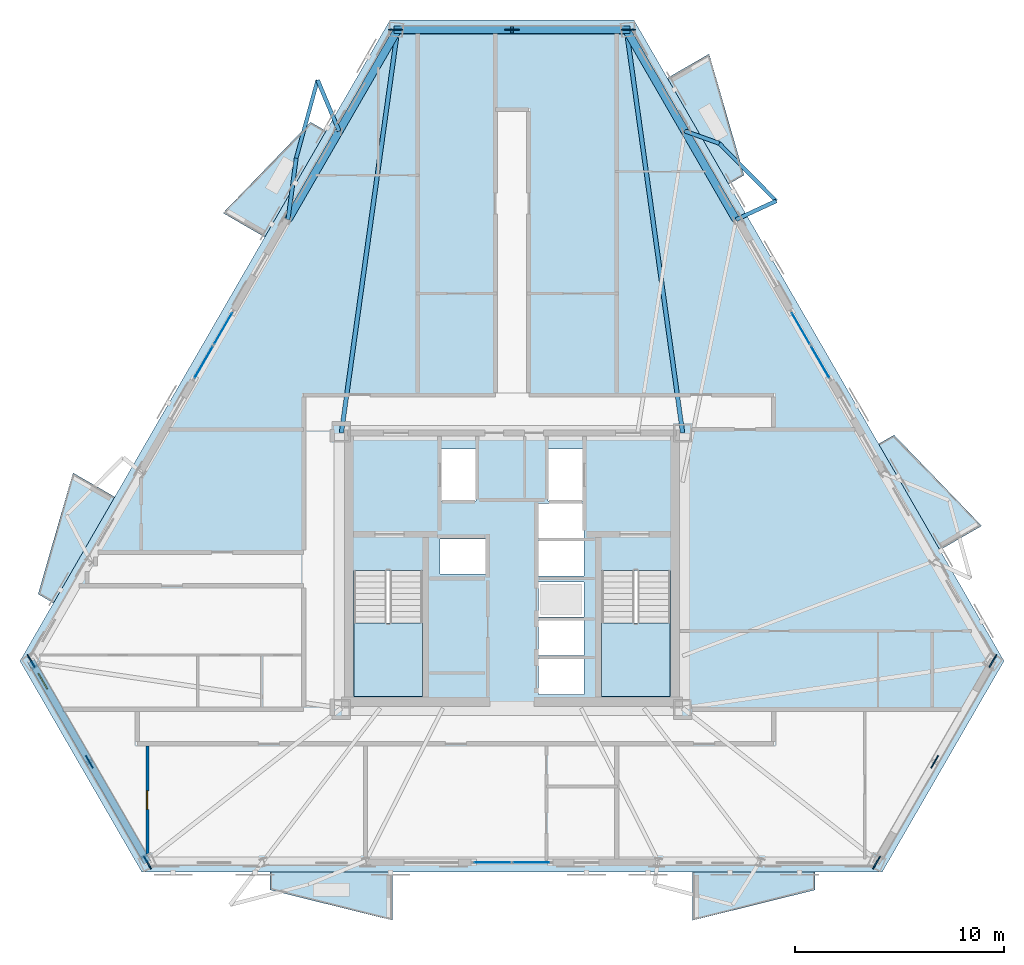
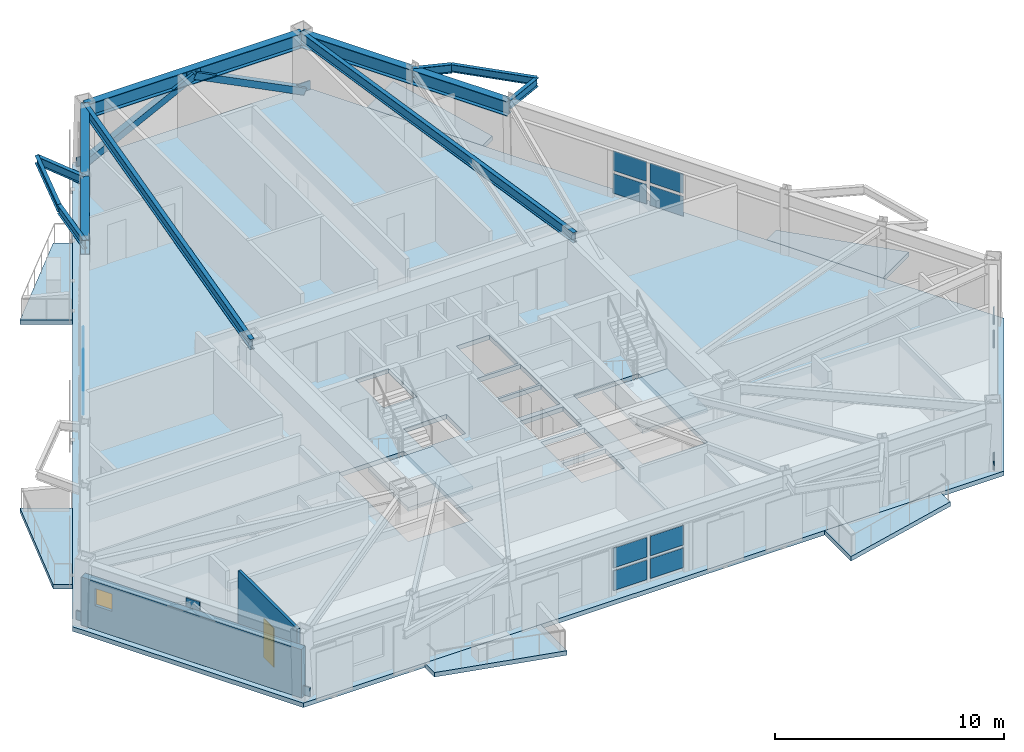
# One storey, part 8 of 16: 21 plates, 13 beams, 9 slabs, 2 members, 2 walls, 1 door, 1 window, 2 openings, 5 elements without a shape of their own.
"""IFC4 building model written with IfcOpenShell, lengths in metres."""

from ifc_helpers import new_model, si_unit, direction, frame, frame_2d, origin, origin_2d, place, context, subcontext, project, spatial, polyline, rectangle, hollow_rectangle, i_section, outline, extrude, material, layer, layer_set, material_profile, profile_set, type_object, element, fill, aggregate, save


model = new_model("IFC4")

# Units and contexts
model_context = context("Model", 3, precision=1e-05, world=origin(), true_north=direction((0.0, 1.0)))
body_context = subcontext(model_context, "Body", "Model", "MODEL_VIEW")
ifc_project = project(units=[si_unit("LENGTHUNIT", "METRE"), si_unit("AREAUNIT", "SQUARE_METRE"), si_unit("VOLUMEUNIT", "CUBIC_METRE"), si_unit("PLANEANGLEUNIT", "RADIAN"), si_unit("MASSUNIT", "GRAM", prefix="KILO")], contexts=[model_context])

# Site, building, storey
site_placement = place(None, origin())
site = spatial("IfcSite", under=ifc_project, at=site_placement, CompositionType="ELEMENT")
building_placement = place(site_placement, origin())
building = spatial("IfcBuilding", under=site, at=building_placement, Name="Oramaril Tower", CompositionType="ELEMENT")
storey_placement = place(building_placement, frame((0.0, 0.0, 115.800048828125)))
storey = spatial("IfcBuildingStorey", under=building, at=storey_placement, Name="L30", CompositionType="ELEMENT", Elevation=115.800048828125)

# Beams
ifc_material_1 = material(Name="Steel ASTM A572 Gr 50", Category="steel")
ifc_material_profile_1 = material_profile(ifc_material_1, i_section(OverallWidth=0.19091796875, OverallDepth=0.45703125, WebThickness=0.009033203125, FlangeThickness=0.014404296875, at=origin_2d()), Name="W18X50")
ifc_profile_set_1 = profile_set([ifc_material_profile_1], Name="Steel ASTM A572 Gr 50")
beam_type_1 = type_object("IfcBeamType", Name="BT-BB1", PredefinedType="BEAM", material=ifc_profile_set_1)
beam_1_placement = place(storey_placement, frame((48.201416015625, 34.33837890625, 3.13134765625), z_axis=(0.90658358319, 0.422026310424, 0.0), x_axis=(-0.422026310424, 0.90658358319, 0.0)))
element("IfcBeam", 1, at=beam_1_placement, inside=storey, type_object=beam_type_1, Name="L30 Balcony Column-Framed Cantilever 04.1", PredefinedType="BEAM", context=body_context, shape_type="SweptSolid", body=[
    extrude(i_section(OverallWidth=0.19091796875, OverallDepth=0.45703125, WebThickness=0.009033203125, FlangeThickness=0.014404296875, at=origin_2d()), origin(), (0.0, 0.0, 1.0), 2.1162109375),
])
beam_2_placement = place(storey_placement, frame((45.75830078125, 38.570068359375, 3.13134765625), z_axis=(0.941713377989, -0.336416280398, 0.0), x_axis=(0.336416280398, 0.941713377989, 0.0)))
element("IfcBeam", 2, at=beam_2_placement, inside=storey, type_object=beam_type_1, Name="L30 Balcony Column-Framed Cantilever 04.2", PredefinedType="BEAM", context=body_context, shape_type="SweptSolid", body=[
    extrude(i_section(OverallWidth=0.19091796875, OverallDepth=0.45703125, WebThickness=0.009033203125, FlangeThickness=0.014404296875, at=origin_2d()), origin(), (0.0, 0.0, 1.0), 1.742431640625),
])
beam_3_placement = place(storey_placement, frame((29.24169921875, 38.570068359375, 3.13134765625), z_axis=(-0.388374762349, 0.921501515989, 0.0), x_axis=(-0.921501515989, -0.388374762349, 0.0)))
element("IfcBeam", 3, at=beam_3_placement, inside=storey, type_object=beam_type_1, Name="L30 Balcony Column-Framed Cantilever 05.1", PredefinedType="BEAM", context=body_context, shape_type="SweptSolid", body=[
    extrude(i_section(OverallWidth=0.19091796875, OverallDepth=0.45703125, WebThickness=0.009033203125, FlangeThickness=0.014404296875, at=origin_2d()), origin(), (0.0, 0.0, 1.0), 2.64453125),
])
beam_4_placement = place(storey_placement, frame((26.798583984375, 34.33837890625, 3.13134765625), z_axis=(0.132600958841, 0.991169504028, 0.0), x_axis=(-0.991169504028, 0.132600958841, 0.0)))
element("IfcBeam", 4, at=beam_4_placement, inside=storey, type_object=beam_type_1, Name="L30 Balcony Column-Framed Cantilever 05.2", PredefinedType="BEAM", context=body_context, shape_type="SweptSolid", body=[
    extrude(i_section(OverallWidth=0.19091796875, OverallDepth=0.45703125, WebThickness=0.009033203125, FlangeThickness=0.014404296875, at=origin_2d()), origin(), (0.0, 0.0, 1.0), 2.96240234375),
])
ifc_material_2 = material(Name="Steel ASTM A572 Gr 50", Category="steel")
ifc_material_profile_2 = material_profile(ifc_material_2, i_section(OverallWidth=0.2099609375, OverallDepth=0.535888671875, WebThickness=0.010986328125, FlangeThickness=0.017333984375, at=origin_2d()), Name="W21X68")
ifc_profile_set_2 = profile_set([ifc_material_profile_2], Name="Steel ASTM A572 Gr 50")
beam_type_2 = type_object("IfcBeamType", Name="BT-FB2", PredefinedType="BEAM", material=ifc_profile_set_2)
for number, where, z_axis, x_axis, name in (
    (5, (45.64990234375, 24.14990234375, 3.092041015625), (-0.138039916119, 0.990426666421, 0.0), (-0.990426666421, -0.138039916119, 0.0), "L30 Radial Primary Beam RB-05"),
    (6, (29.35009765625, 24.14990234375, 3.092041015625), (0.138039916119, 0.990426666421, 0.0), (-0.990426666421, 0.138039916119, 0.0), "L30 Radial Primary Beam RB-06"),
):
    element("IfcBeam", number, at=place(storey_placement, frame(where, z_axis=z_axis, x_axis=x_axis)), inside=storey, type_object=beam_type_2, Name=name, PredefinedType="BEAM", context=body_context, shape_type="SweptSolid", body=[
        extrude(i_section(OverallWidth=0.2099609375, OverallDepth=0.535888671875, WebThickness=0.010986328125, FlangeThickness=0.017333984375, at=origin_2d()), origin(), (0.0, 0.0, 1.0), 19.4423828125),
    ])
ifc_material_3 = material(Name="Steel ASTM A572 Gr 50", Category="steel")
ifc_material_profile_3 = material_profile(ifc_material_3, i_section(OverallWidth=0.177978515625, OverallDepth=0.404052734375, WebThickness=0.007568359375, FlangeThickness=0.010986328125, at=origin_2d()), Name="W16X36")
ifc_profile_set_3 = profile_set([ifc_material_profile_3], Name="Steel ASTM A572 Gr 50")
beam_type_3 = type_object("IfcBeamType", Name="BT-SB1", PredefinedType="BEAM", material=ifc_profile_set_3)
for number, where, z_axis, x_axis, name in (
    (7, (50.119873046875, 35.2314453125, 3.157958984375), (-0.702994511648, 0.71119527318, 0.0), (-0.71119527318, -0.702994511648, 0.0), "L30 Balcony Edge Tie Beam 04"),
    (8, (28.214599609375, 41.007080078125, 3.157958984375), (-0.264382243015, -0.964417974521, 0.0), (0.964417974521, -0.264382243015, 0.0), "L30 Balcony Edge Tie Beam 05"),
):
    element("IfcBeam", number, at=place(storey_placement, frame(where, z_axis=z_axis, x_axis=x_axis)), inside=storey, type_object=beam_type_3, Name=name, PredefinedType="BEAM", context=body_context, shape_type="SweptSolid", body=[
        extrude(i_section(OverallWidth=0.177978515625, OverallDepth=0.404052734375, WebThickness=0.007568359375, FlangeThickness=0.010986328125, at=origin_2d()), origin(), (0.0, 0.0, 1.0), 3.8701171875),
    ])
ifc_material_4 = material(Name="Steel ASTM A572 Gr 50", Category="steel")
ifc_material_profile_4 = material_profile(ifc_material_4, i_section(OverallWidth=0.381103515625, OverallDepth=0.77197265625, WebThickness=0.0166015625, FlangeThickness=0.027099609375, at=origin_2d()), Name="W30X173")
ifc_profile_set_4 = profile_set([ifc_material_profile_4], Name="Steel ASTM A572 Gr 50")
beam_type_4 = type_object("IfcBeamType", Name="BT-SP2", PredefinedType="SPANDREL", material=ifc_profile_set_4)
beam_5_placement = place(storey_placement, frame((48.201416015625, 34.33837890625, 2.973876953125), z_axis=(-0.499992047577, 0.866029995069, 0.0), x_axis=(-0.866029995069, -0.499992047577, 0.0)))
element("IfcBeam", 9, at=beam_5_placement, inside=storey, type_object=beam_type_4, Name="L30 Perimeter Spandrel 11", PredefinedType="SPANDREL", context=body_context, shape_type="SweptSolid", body=[
    extrude(i_section(OverallWidth=0.381103515625, OverallDepth=0.77197265625, WebThickness=0.0166015625, FlangeThickness=0.027099609375, at=origin_2d()), origin(), (0.0, 0.0, 1.0), 4.88623046875),
])
beam_6_placement = place(storey_placement, frame((45.75830078125, 38.570068359375, 2.973876953125), z_axis=(-0.500008804371, 0.866020320519, 0.0), x_axis=(-0.866020320519, -0.500008804371, 0.0)))
element("IfcBeam", 10, at=beam_6_placement, inside=storey, type_object=beam_type_4, Name="L30 Perimeter Spandrel 12", PredefinedType="SPANDREL", context=body_context, shape_type="SweptSolid", body=[
    extrude(i_section(OverallWidth=0.381103515625, OverallDepth=0.77197265625, WebThickness=0.0166015625, FlangeThickness=0.027099609375, at=origin_2d()), origin(), (0.0, 0.0, 1.0), 5.58447265625),
])
beam_7_placement = place(storey_placement, frame((42.966064453125, 43.40625, 2.973876953125), z_axis=(-1.0, 0.0, 0.0), x_axis=(0.0, -1.0, 0.0)))
element("IfcBeam", 11, at=beam_7_placement, inside=storey, type_object=beam_type_4, Name="L30 Perimeter Spandrel 13", PredefinedType="SPANDREL", context=body_context, shape_type="SweptSolid", body=[
    extrude(i_section(OverallWidth=0.381103515625, OverallDepth=0.77197265625, WebThickness=0.0166015625, FlangeThickness=0.027099609375, at=origin_2d()), origin(), (0.0, 0.0, 1.0), 10.93212890625),
])
beam_8_placement = place(storey_placement, frame((32.033935546875, 43.40625, 2.973876953125), z_axis=(-0.500008804371, -0.866020320519, 0.0), x_axis=(0.866020320519, -0.500008804371, 0.0)))
element("IfcBeam", 12, at=beam_8_placement, inside=storey, type_object=beam_type_4, Name="L30 Perimeter Spandrel 14", PredefinedType="SPANDREL", context=body_context, shape_type="SweptSolid", body=[
    extrude(i_section(OverallWidth=0.381103515625, OverallDepth=0.77197265625, WebThickness=0.0166015625, FlangeThickness=0.027099609375, at=origin_2d()), origin(), (0.0, 0.0, 1.0), 5.58447265625),
])
beam_9_placement = place(storey_placement, frame((29.24169921875, 38.570068359375, 2.973876953125), z_axis=(-0.499992047577, -0.866029995069, 0.0), x_axis=(0.866029995069, -0.499992047577, 0.0)))
element("IfcBeam", 13, at=beam_9_placement, inside=storey, type_object=beam_type_4, Name="L30 Perimeter Spandrel 15", PredefinedType="SPANDREL", context=body_context, shape_type="SweptSolid", body=[
    extrude(i_section(OverallWidth=0.381103515625, OverallDepth=0.77197265625, WebThickness=0.0166015625, FlangeThickness=0.027099609375, at=origin_2d()), origin(), (0.0, 0.0, 1.0), 4.88623046875),
])

# Members
ifc_material_5 = material(Name="Steel ASTM A572 Gr 50", Category="steel")
ifc_material_profile_5 = material_profile(ifc_material_5, hollow_rectangle(XDim=0.35009765625, YDim=0.35009765625, WallThickness=0.01611328125, at=origin_2d()), Name="HSS350X350X16")
ifc_profile_set_5 = profile_set([ifc_material_profile_5], Name="Steel ASTM A572 Gr 50")
member_type = type_object("IfcMemberType", Name="MT-KB1", PredefinedType="BRACE", material=ifc_profile_set_5)
for number, where, z_axis, x_axis, name in (
    (14, (43.0576171875, 43.41552734375, 0.179931640625), (-0.893451710919, 0.0, 0.449159259346), (0.0, -1.0, 0.0), "L30 Perimeter Chevron Brace KB-3A"),
    (15, (31.9423828125, 43.41552734375, 0.179931640625), (0.893451710919, 0.0, 0.449159259346), (0.0, 1.0, 0.0), "L30 Perimeter Chevron Brace KB-3B"),
):
    element("IfcMember", number, at=place(storey_placement, frame(where, z_axis=z_axis, x_axis=x_axis)), inside=storey, type_object=member_type, Name=name, PredefinedType="BRACE", context=body_context, shape_type="SweptSolid", body=[
        extrude(hollow_rectangle(XDim=0.35009765625, YDim=0.35009765625, WallThickness=0.01611328125, at=origin_2d()), origin(), (0.0, 0.0, 1.0), 6.220458984375),
    ])

# Curtain wall, plates
ifc_material_6 = material(Name="Anodised Aluminium 6063-T6", Category="aluminium")
ifc_layer_1 = layer(ifc_material_6, 0.179931640625)
ifc_layer_set_1 = layer_set([ifc_layer_1], Name="CWT-SYS3")
curtain_wall_type = type_object("IfcCurtainWallType", Name="CWT-SYS3", PredefinedType="NOTDEFINED", material=ifc_layer_set_1)
curtain_wall_1_placement = place(storey_placement, origin())
curtain_wall_1 = element("IfcCurtainWall", 16, at=curtain_wall_1_placement, inside=storey, type_object=curtain_wall_type, Name="L30 Unitised Curtain Wall CW-3", PredefinedType="NOTDEFINED")
ifc_material_7 = material(Name="Coastal Low-E Insulated Glass", Category="glass")
ifc_layer_2 = layer(ifc_material_7, 0.035888671875)
ifc_layer_set_2 = layer_set([ifc_layer_2], Name="PLT-CWP3")
plate_type_1 = type_object("IfcPlateType", Name="PLT-CWP3", PredefinedType="CURTAIN_PANEL", material=ifc_layer_set_2)
plate_1_placement = place(storey_placement, frame((36.570068359375, 3.62939453125, 0.16015625), z_axis=(0.0, 0.0, 1.0), x_axis=(1.0, 0.0, 0.0)))
plate_1 = element("IfcPlate", 17, at=plate_1_placement, type_object=plate_type_1, Name="CW-3 panel 1.1", PredefinedType="CURTAIN_PANEL", context=body_context, shape_type="SweptSolid", body=[
    extrude(rectangle(XDim=1.679931640625, YDim=0.035888671875, at=origin_2d()), origin(), (0.0, 0.0, 1.0), 1.049072265625),
])
plate_2_placement = place(storey_placement, frame((36.570068359375, 3.62939453125, 1.369140625), z_axis=(0.0, 0.0, 1.0), x_axis=(1.0, 0.0, 0.0)))
plate_2 = element("IfcPlate", 18, at=plate_2_placement, type_object=plate_type_1, Name="CW-3 panel 1.2", PredefinedType="CURTAIN_PANEL", context=body_context, shape_type="SweptSolid", body=[
    extrude(rectangle(XDim=1.679931640625, YDim=0.035888671875, at=origin_2d()), origin(), (0.0, 0.0, 1.0), 1.049072265625),
])
plate_3_placement = place(storey_placement, frame((38.429931640625, 3.62939453125, 0.16015625), z_axis=(0.0, 0.0, 1.0), x_axis=(1.0, 0.0, 0.0)))
plate_3 = element("IfcPlate", 19, at=plate_3_placement, type_object=plate_type_1, Name="CW-3 panel 2.1", PredefinedType="CURTAIN_PANEL", context=body_context, shape_type="SweptSolid", body=[
    extrude(rectangle(XDim=1.679931640625, YDim=0.035888671875, at=origin_2d()), origin(), (0.0, 0.0, 1.0), 1.049072265625),
])
plate_4_placement = place(storey_placement, frame((38.429931640625, 3.62939453125, 1.369140625), z_axis=(0.0, 0.0, 1.0), x_axis=(1.0, 0.0, 0.0)))
plate_4 = element("IfcPlate", 20, at=plate_4_placement, type_object=plate_type_1, Name="CW-3 panel 2.2", PredefinedType="CURTAIN_PANEL", context=body_context, shape_type="SweptSolid", body=[
    extrude(rectangle(XDim=1.679931640625, YDim=0.035888671875, at=origin_2d()), origin(), (0.0, 0.0, 1.0), 1.049072265625),
])
aggregate(curtain_wall_1, [plate_1, plate_2, plate_3, plate_4])

curtain_wall_2_placement = place(storey_placement, origin())
curtain_wall_2 = element("IfcCurtainWall", 21, at=curtain_wall_2_placement, inside=storey, type_object=curtain_wall_type, Name="L30 Unitised Curtain Wall CW-3", PredefinedType="NOTDEFINED")
plate_5_placement = place(storey_placement, frame((52.22900390625, 27.530029296875, 0.16015625), z_axis=(0.0, 0.0, 1.0), x_axis=(-0.499999897278, 0.866025463091, 0.0)))
plate_5 = element("IfcPlate", 22, at=plate_5_placement, type_object=plate_type_1, Name="CW-3 panel 1.1", PredefinedType="CURTAIN_PANEL", context=body_context, shape_type="SweptSolid", body=[
    extrude(rectangle(XDim=1.679931640625, YDim=0.035888671875, at=origin_2d()), origin(), (0.0, 0.0, 1.0), 1.049072265625),
])
plate_6_placement = place(storey_placement, frame((52.22900390625, 27.530029296875, 1.369140625), z_axis=(0.0, 0.0, 1.0), x_axis=(-0.499999897278, 0.866025463091, 0.0)))
plate_6 = element("IfcPlate", 23, at=plate_6_placement, type_object=plate_type_1, Name="CW-3 panel 1.2", PredefinedType="CURTAIN_PANEL", context=body_context, shape_type="SweptSolid", body=[
    extrude(rectangle(XDim=1.679931640625, YDim=0.035888671875, at=origin_2d()), origin(), (0.0, 0.0, 1.0), 1.049072265625),
])
plate_7_placement = place(storey_placement, frame((51.299072265625, 29.140869140625, 0.16015625), z_axis=(0.0, 0.0, 1.0), x_axis=(-0.499999897278, 0.866025463091, 0.0)))
plate_7 = element("IfcPlate", 24, at=plate_7_placement, type_object=plate_type_1, Name="CW-3 panel 2.1", PredefinedType="CURTAIN_PANEL", context=body_context, shape_type="SweptSolid", body=[
    extrude(rectangle(XDim=1.679931640625, YDim=0.035888671875, at=origin_2d()), origin(), (0.0, 0.0, 1.0), 1.049072265625),
])
plate_8_placement = place(storey_placement, frame((51.299072265625, 29.140869140625, 1.369140625), z_axis=(0.0, 0.0, 1.0), x_axis=(-0.499999897278, 0.866025463091, 0.0)))
plate_8 = element("IfcPlate", 25, at=plate_8_placement, type_object=plate_type_1, Name="CW-3 panel 2.2", PredefinedType="CURTAIN_PANEL", context=body_context, shape_type="SweptSolid", body=[
    extrude(rectangle(XDim=1.679931640625, YDim=0.035888671875, at=origin_2d()), origin(), (0.0, 0.0, 1.0), 1.049072265625),
])
aggregate(curtain_wall_2, [plate_5, plate_6, plate_7, plate_8])

curtain_wall_3_placement = place(storey_placement, origin())
curtain_wall_3 = element("IfcCurtainWall", 26, at=curtain_wall_3_placement, inside=storey, type_object=curtain_wall_type, Name="L30 Unitised Curtain Wall CW-3", PredefinedType="NOTDEFINED")
plate_9_placement = place(storey_placement, frame((23.700927734375, 29.140869140625, 0.16015625), z_axis=(0.0, 0.0, 1.0), x_axis=(-0.499999897278, -0.866025463091, 0.0)))
plate_9 = element("IfcPlate", 27, at=plate_9_placement, type_object=plate_type_1, Name="CW-3 panel 1.1", PredefinedType="CURTAIN_PANEL", context=body_context, shape_type="SweptSolid", body=[
    extrude(rectangle(XDim=1.679931640625, YDim=0.035888671875, at=origin_2d()), origin(), (0.0, 0.0, 1.0), 1.049072265625),
])
plate_10_placement = place(storey_placement, frame((23.700927734375, 29.140869140625, 1.369140625), z_axis=(0.0, 0.0, 1.0), x_axis=(-0.499999897278, -0.866025463091, 0.0)))
plate_10 = element("IfcPlate", 28, at=plate_10_placement, type_object=plate_type_1, Name="CW-3 panel 1.2", PredefinedType="CURTAIN_PANEL", context=body_context, shape_type="SweptSolid", body=[
    extrude(rectangle(XDim=1.679931640625, YDim=0.035888671875, at=origin_2d()), origin(), (0.0, 0.0, 1.0), 1.049072265625),
])
plate_11_placement = place(storey_placement, frame((22.77099609375, 27.530029296875, 0.16015625), z_axis=(0.0, 0.0, 1.0), x_axis=(-0.499999897278, -0.866025463091, 0.0)))
plate_11 = element("IfcPlate", 29, at=plate_11_placement, type_object=plate_type_1, Name="CW-3 panel 2.1", PredefinedType="CURTAIN_PANEL", context=body_context, shape_type="SweptSolid", body=[
    extrude(rectangle(XDim=1.679931640625, YDim=0.035888671875, at=origin_2d()), origin(), (0.0, 0.0, 1.0), 1.049072265625),
])
plate_12_placement = place(storey_placement, frame((22.77099609375, 27.530029296875, 1.369140625), z_axis=(0.0, 0.0, 1.0), x_axis=(-0.499999897278, -0.866025463091, 0.0)))
plate_12 = element("IfcPlate", 30, at=plate_12_placement, type_object=plate_type_1, Name="CW-3 panel 2.2", PredefinedType="CURTAIN_PANEL", context=body_context, shape_type="SweptSolid", body=[
    extrude(rectangle(XDim=1.679931640625, YDim=0.035888671875, at=origin_2d()), origin(), (0.0, 0.0, 1.0), 1.049072265625),
])
aggregate(curtain_wall_3, [plate_9, plate_10, plate_11, plate_12])

# Plates
ifc_material_8 = material(Name="Steel ASTM A572 Gr 50", Category="steel")
ifc_layer_3 = layer(ifc_material_8, 0.06005859375)
ifc_layer_set_3 = layer_set([ifc_layer_3], Name="PLT-G60")
plate_type_2 = type_object("IfcPlateType", Name="PLT-G60", PredefinedType="USERDEFINED", material=ifc_layer_set_3)
for number, where, z_axis, x_axis, name in (
    (31, (17.30810546875, 8.442138671875, 2.73388671875), (0.0, 0.0, 1.0), (0.500003022996, -0.86602365845, 0.0), "L30 Chevron Brace Gusset Plate BN-1"),
    (32, (14.529296875, 13.255126953125, 0.099853515625), (0.0, 0.0, 1.0), (0.500003022996, -0.86602365845, 0.0), "L30 Chevron Brace Gusset Plate BN-1"),
    (33, (20.0869140625, 3.62939453125, 0.099853515625), (0.0, 0.0, 1.0), (0.500003022996, -0.86602365845, 0.0), "L30 Chevron Brace Gusset Plate BN-1"),
    (34, (57.69189453125, 8.442138671875, 2.73388671875), (0.0, 0.0, 1.0), (0.500003022996, 0.86602365845, 0.0), "L30 Chevron Brace Gusset Plate BN-1"),
    (35, (54.9130859375, 3.62939453125, 0.099853515625), (0.0, 0.0, 1.0), (0.500003022996, 0.86602365845, 0.0), "L30 Chevron Brace Gusset Plate BN-1"),
    (36, (60.470703125, 13.255126953125, 0.099853515625), (0.0, 0.0, 1.0), (0.500003022996, 0.86602365845, 0.0), "L30 Chevron Brace Gusset Plate BN-1"),
    (37, (37.5, 43.41552734375, 2.73388671875), (0.0, 0.0, 1.0), (-1.0, 0.0, 0.0), "L30 Chevron Brace Gusset Plate BN-1"),
    (38, (43.0576171875, 43.41552734375, 0.099853515625), (0.0, 0.0, 1.0), (-1.0, 0.0, 0.0), "L30 Chevron Brace Gusset Plate BN-1"),
    (39, (31.9423828125, 43.41552734375, 0.099853515625), (0.0, 0.0, 1.0), (-1.0, 0.0, 0.0), "L30 Chevron Brace Gusset Plate BN-1"),
):
    element("IfcPlate", number, at=place(storey_placement, frame(where, z_axis=z_axis, x_axis=x_axis)), inside=storey, type_object=plate_type_2, Name=name, ObjectType="GUSSET", PredefinedType="USERDEFINED", context=body_context, shape_type="SweptSolid", body=[
        extrude(rectangle(XDim=0.679931640625, YDim=0.06005859375, at=origin_2d()), origin(), (0.0, 0.0, 1.0), 0.47998046875),
    ])

# Slabs
ifc_material_9 = material(Name="Concrete C40/50", Category="concrete")
ifc_layer_4 = layer(ifc_material_9, 0.199951171875)
ifc_layer_set_4 = layer_set([ifc_layer_4], Name="SLT-BAL20")
slab_type_1 = type_object("IfcSlabType", Name="SLT-BAL20", PredefinedType="FLOOR", material=ifc_layer_set_4)
slab_1_placement = place(storey_placement, frame((0.0, 0.0, -0.239990234375)))
element("IfcSlab", 40, at=slab_1_placement, inside=storey, type_object=slab_type_1, Name="L30 Cantilevered Balcony Slab L30-BAL-S2", PredefinedType="FLOOR", context=body_context, shape_type="SweptSolid", body=[
    extrude(outline(polyline([(46.128662109375, 3.17138671875), (51.978759765625, 3.17138671875), (51.978759765625, 2.3193359375), (46.128662109375, 0.869384765625), (46.128662109375, 3.17138671875)])), origin(), (0.0, 0.0, 1.0), 0.239990234375),
])
slab_2_placement = place(storey_placement, frame((0.0, 0.0, -0.239990234375)))
element("IfcSlab", 41, at=slab_2_placement, inside=storey, type_object=slab_type_1, Name="L30 Cantilevered Balcony Slab L30-BAL-NE1", PredefinedType="FLOOR", context=body_context, shape_type="SweptSolid", body=[
    extrude(outline(polyline([(57.9375, 18.55859375), (55.0126953125, 23.624755859375), (55.75048828125, 24.05078125), (59.93115234375, 19.70947265625), (57.9375, 18.55859375)])), origin(), (0.0, 0.0, 1.0), 0.239990234375),
])
slab_3_placement = place(storey_placement, frame((0.0, 0.0, -0.239990234375)))
element("IfcSlab", 42, at=slab_3_placement, inside=storey, type_object=slab_type_1, Name="L30 Cantilevered Balcony Slab L30-BAL-NW2", PredefinedType="FLOOR", context=body_context, shape_type="SweptSolid", body=[
    extrude(outline(polyline([(18.52490234375, 21.091552734375), (15.599853515625, 16.025390625), (14.862060546875, 16.451416015625), (16.53125, 22.24267578125), (18.52490234375, 21.091552734375)])), origin(), (0.0, 0.0, 1.0), 0.239990234375),
])
ifc_material_10 = material(Name="Concrete C50/60", Category="concrete")
ifc_layer_5 = layer(ifc_material_10, 0.239990234375)
ifc_layer_set_5 = layer_set([ifc_layer_5], Name="SLT-FLR24")
slab_type_2 = type_object("IfcSlabType", Name="SLT-FLR24", PredefinedType="FLOOR", material=ifc_layer_set_5)
slab_4_placement = place(storey_placement, frame((0.0, 0.0, -0.239990234375)))
element("IfcSlab", 43, at=slab_4_placement, inside=storey, type_object=slab_type_2, Name="L30 Structural Floor Slab", PredefinedType="FLOOR", context=body_context, shape_type="SweptSolid", body=[
    extrude(outline(polyline([(13.998291015625, 13.255126953125), (19.8212890625, 3.169189453125), (55.1787109375, 3.169189453125), (61.001708984375, 13.255126953125), (43.322998046875, 43.87548828125), (31.677001953125, 43.87548828125), (13.998291015625, 13.255126953125)]), holes=[polyline([(29.949951171875, 17.58935546875), (29.949951171875, 11.550048828125), (33.219970703125, 11.550048828125), (33.219970703125, 17.58935546875), (29.949951171875, 17.58935546875)]), polyline([(41.780029296875, 17.58935546875), (41.780029296875, 11.550048828125), (45.050048828125, 11.550048828125), (45.050048828125, 17.58935546875), (41.780029296875, 17.58935546875)]), polyline([(34.110107421875, 20.909912109375), (35.7900390625, 20.909912109375), (35.7900390625, 23.389892578125), (34.110107421875, 23.389892578125), (34.110107421875, 20.909912109375)]), polyline([(39.2099609375, 20.909912109375), (40.889892578125, 20.909912109375), (40.889892578125, 23.389892578125), (39.2099609375, 23.389892578125), (39.2099609375, 20.909912109375)]), polyline([(38.760009765625, 11.659912109375), (40.93994140625, 11.659912109375), (40.93994140625, 13.340087890625), (38.760009765625, 13.340087890625), (38.760009765625, 11.659912109375)]), polyline([(38.760009765625, 13.510009765625), (40.93994140625, 13.510009765625), (40.93994140625, 15.18994140625), (38.760009765625, 15.18994140625), (38.760009765625, 13.510009765625)]), polyline([(38.760009765625, 15.360107421875), (40.93994140625, 15.360107421875), (40.93994140625, 17.0400390625), (38.760009765625, 17.0400390625), (38.760009765625, 15.360107421875)]), polyline([(34.06005859375, 17.409912109375), (36.239990234375, 17.409912109375), (36.239990234375, 19.090087890625), (34.06005859375, 19.090087890625), (34.06005859375, 17.409912109375)]), polyline([(38.760009765625, 17.31005859375), (40.93994140625, 17.31005859375), (40.93994140625, 18.989990234375), (38.760009765625, 18.989990234375), (38.760009765625, 17.31005859375)]), polyline([(38.760009765625, 19.110107421875), (40.93994140625, 19.110107421875), (40.93994140625, 20.7900390625), (38.760009765625, 20.7900390625), (38.760009765625, 19.110107421875)])]), origin(), (0.0, 0.0, 1.0), 0.239990234375),
])

# Stair, slab
ifc_material_11 = material(Name="Concrete C50/60", Category="concrete")
stair_type = type_object("IfcStairType", Name="STT-DG-3600", PredefinedType="HALF_TURN_STAIR", material=ifc_material_11)
stair_1_placement = place(storey_placement, origin())
stair_1 = element("IfcStair", 44, at=stair_1_placement, inside=storey, type_object=stair_type, Name="L30 Protected PFP Exit Stair ST-1", PredefinedType="HALF_TURN_STAIR")
ifc_material_12 = material(Name="Concrete C50/60", Category="concrete")
ifc_layer_6 = layer(ifc_material_12, 0.199951171875)
ifc_layer_set_6 = layer_set([ifc_layer_6], Name="SLT-LND20")
slab_type_3 = type_object("IfcSlabType", Name="SLT-LND20", PredefinedType="LANDING", material=ifc_layer_set_6)
slab_5_placement = place(storey_placement, frame((0.0, 0.0, 1.599853515625)))
slab_5 = element("IfcSlab", 45, at=slab_5_placement, type_object=slab_type_3, Name="ST-1 landing 1", PredefinedType="LANDING", context=body_context, shape_type="SweptSolid", body=[
    extrude(outline(polyline([(29.949951171875, 15.070068359375), (29.949951171875, 11.550048828125), (33.219970703125, 11.550048828125), (33.219970703125, 15.070068359375), (29.949951171875, 15.070068359375)])), origin(), (0.0, 0.0, 1.0), 0.2001953125),
])
aggregate(stair_1, [slab_5])

stair_2_placement = place(storey_placement, origin())
stair_2 = element("IfcStair", 46, at=stair_2_placement, inside=storey, type_object=stair_type, Name="L30 Protected PFP Exit Stair ST-2", PredefinedType="HALF_TURN_STAIR")
slab_6_placement = place(storey_placement, frame((0.0, 0.0, 1.599853515625)))
slab_6 = element("IfcSlab", 47, at=slab_6_placement, type_object=slab_type_3, Name="ST-2 landing 1", PredefinedType="LANDING", context=body_context, shape_type="SweptSolid", body=[
    extrude(outline(polyline([(41.780029296875, 15.070068359375), (41.780029296875, 11.550048828125), (45.050048828125, 11.550048828125), (45.050048828125, 15.070068359375), (41.780029296875, 15.070068359375)])), origin(), (0.0, 0.0, 1.0), 0.2001953125),
])
aggregate(stair_2, [slab_6])

# Slabs
ifc_material_13 = material(Name="Concrete C40/50", Category="concrete")
ifc_layer_7 = layer(ifc_material_13, 0.18994140625)
ifc_layer_set_7 = layer_set([ifc_layer_7], Name="SLT-PLN19")
slab_type_4 = type_object("IfcSlabType", Name="SLT-PLN19", PredefinedType="FLOOR", material=ifc_layer_set_7)
slab_7_placement = place(storey_placement, frame((0.0, 0.0, -0.239990234375)))
element("IfcSlab", 48, at=slab_7_placement, inside=storey, type_object=slab_type_4, Name="L30 Tree Planter Balcony Slab L30-BAL-S1", PredefinedType="FLOOR", context=body_context, shape_type="SweptSolid", body=[
    extrude(outline(polyline([(25.9462890625, 3.17138671875), (31.79638671875, 3.17138671875), (31.79638671875, 0.869384765625), (25.9462890625, 2.3193359375), (25.9462890625, 3.17138671875)])), origin(), (0.0, 0.0, 1.0), 0.239990234375),
])
slab_8_placement = place(storey_placement, frame((0.0, 0.0, -0.239990234375)))
element("IfcSlab", 49, at=slab_8_placement, inside=storey, type_object=slab_type_4, Name="L30 Tree Planter Balcony Slab L30-BAL-NE2", PredefinedType="FLOOR", context=body_context, shape_type="SweptSolid", body=[
    extrude(outline(polyline([(47.846435546875, 36.037109375), (44.92138671875, 41.103271484375), (46.9150390625, 42.25439453125), (48.584228515625, 36.463134765625), (47.846435546875, 36.037109375)])), origin(), (0.0, 0.0, 1.0), 0.239990234375),
])
slab_9_placement = place(storey_placement, frame((0.0, 0.0, -0.239990234375)))
element("IfcSlab", 50, at=slab_9_placement, inside=storey, type_object=slab_type_4, Name="L30 Tree Planter Balcony Slab L30-BAL-NW1", PredefinedType="FLOOR", context=body_context, shape_type="SweptSolid", body=[
    extrude(outline(polyline([(28.6162109375, 38.5703125), (25.691162109375, 33.50390625), (23.697509765625, 34.65478515625), (27.87841796875, 38.99609375), (28.6162109375, 38.5703125)])), origin(), (0.0, 0.0, 1.0), 0.239990234375),
])

# Wall, opening, window
ifc_material_14 = material(Name="Warm Cream Limestone", Category="masonry")
ifc_layer_8 = layer(ifc_material_14, 0.340087890625)
ifc_layer_set_8 = layer_set([ifc_layer_8], Name="WT-EXT34")
wall_type_1 = type_object("IfcWallType", Name="WT-EXT34", PredefinedType="SOLIDWALL", material=ifc_layer_set_8)
wall_1_placement = place(storey_placement, frame((14.529296875, 13.255126953125, 0.0), z_axis=(0.0, 0.0, 1.0), x_axis=(0.500013359164, -0.86601769073, 0.0)))
wall_1 = element("IfcWall", 51, at=wall_1_placement, inside=storey, type_object=wall_type_1, Name="L30 Tower Limestone Facade Wall 1M", PredefinedType="SOLIDWALL", context=body_context, shape_type="SweptSolid", body=[
    extrude(rectangle(XDim=11.114990234375, YDim=0.340087890625, at=frame_2d((5.5576171875, 0.0))), origin(), (0.0, 0.0, 1.0), 2.577880859375),
])
opening_1_placement = place(wall_1_placement, frame((0.695068359375, 0.0, 1.280029296875)))
opening_1 = element("IfcOpeningElement", 52, at=opening_1_placement, cuts=wall_1, Name="Opening WN-13", PredefinedType="OPENING", context=body_context, shape_type="SweptSolid", body=[
    extrude(rectangle(XDim=0.85009765625, YDim=0.919921875, at=frame_2d((0.425048828125, 0.4599609375))), frame((0.0, 0.169921875, 0.0), z_axis=(0.0, -1.0, 0.0), x_axis=(1.0, 0.0, 0.0)), (0.0, 0.0, 1.0), 0.340087890625),
])
ifc_material_15 = material(Name="Coastal Low-E Insulated Glass", Category="glass")
window_type = type_object("IfcWindowType", Name="WNT-13", PartitioningType="SINGLE_PANEL", PredefinedType="WINDOW", material=ifc_material_15)
window_placement = place(opening_1_placement, origin())
window = element("IfcWindow", 53, at=window_placement, inside=storey, type_object=window_type, Name="L30 Apartment Bedroom Window WN-13", OverallHeight=0.919921875, OverallWidth=0.85009765625, PartitioningType="SINGLE_PANEL", PredefinedType="WINDOW", context=body_context, shape_type="SweptSolid", body=[
    extrude(rectangle(XDim=0.85009765625, YDim=0.919921875, at=frame_2d((0.425048828125, 0.4599609375))), frame((0.0, 0.030029296875, 0.0), z_axis=(0.0, -1.0, 0.0), x_axis=(1.0, 0.0, 0.0)), (0.0, 0.0, 1.0), 0.06005859375),
])
fill(opening_1, window)

# Wall, opening, door
ifc_material_16 = material(Name="Acoustic Gypsum Board Partition")
ifc_layer_9 = layer(ifc_material_16, 0.139892578125)
ifc_layer_set_9 = layer_set([ifc_layer_9], Name="WT-PT14")
wall_type_2 = type_object("IfcWallType", Name="WT-PT14", PredefinedType="PARTITIONING", material=ifc_layer_set_9)
wall_2_placement = place(storey_placement, frame((20.080078125, 4.0361328125, 0.0), z_axis=(0.0, 0.0, 1.0), x_axis=(0.0, 1.0, 0.0)))
wall_2 = element("IfcWall", 54, at=wall_2_placement, inside=storey, type_object=wall_type_2, Name="L30 Interior Partition PT-14", PredefinedType="PARTITIONING", context=body_context, shape_type="SweptSolid", body=[
    extrude(rectangle(XDim=5.159912109375, YDim=0.139892578125, at=frame_2d((2.580078125, 0.0))), origin(), (0.0, 0.0, 1.0), 3.35986328125),
])
opening_2_placement = place(wall_2_placement, frame((2.13818359375, 0.0, 0.0)))
opening_2 = element("IfcOpeningElement", 55, at=opening_2_placement, cuts=wall_2, Name="Opening D-L30-21", PredefinedType="OPENING", context=body_context, shape_type="SweptSolid", body=[
    extrude(rectangle(XDim=0.8798828125, YDim=2.080078125, at=frame_2d((0.43994140625, 1.0400390625))), frame((0.0, 0.06982421875, 0.0), z_axis=(0.0, -1.0, 0.0), x_axis=(1.0, 0.0, 0.0)), (0.0, 0.0, 1.0), 0.139892578125),
])
ifc_material_17 = material(Name="FSC Brazilian Freijo Hardwood", Category="wood")
door_type = type_object("IfcDoorType", Name="DT-BATH", OperationType="NOTDEFINED", PredefinedType="DOOR", material=ifc_material_17)
door_placement = place(opening_2_placement, origin())
door = element("IfcDoor", 56, at=door_placement, inside=storey, type_object=door_type, Name="L30 Flat L30-U1 Bathroom Door D-L30-21", OperationType="SINGLE_SWING_LEFT", OverallHeight=2.080078125, OverallWidth=0.8798828125, PredefinedType="DOOR", context=body_context, shape_type="SweptSolid", body=[
    extrude(rectangle(XDim=0.8798828125, YDim=2.080078125, at=frame_2d((0.43994140625, 1.0400390625))), frame((0.0, 0.02490234375, 0.0), z_axis=(0.0, -1.0, 0.0), x_axis=(1.0, 0.0, 0.0)), (0.0, 0.0, 1.0), 0.050048828125),
])
fill(opening_2, door)

save(model, "model.ifc")
